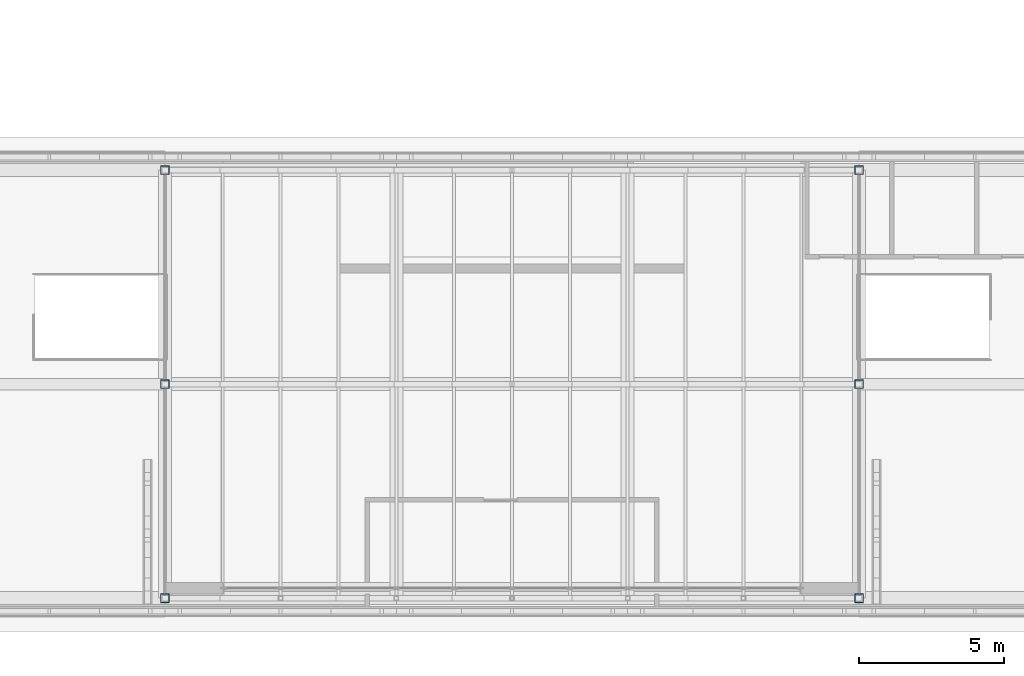
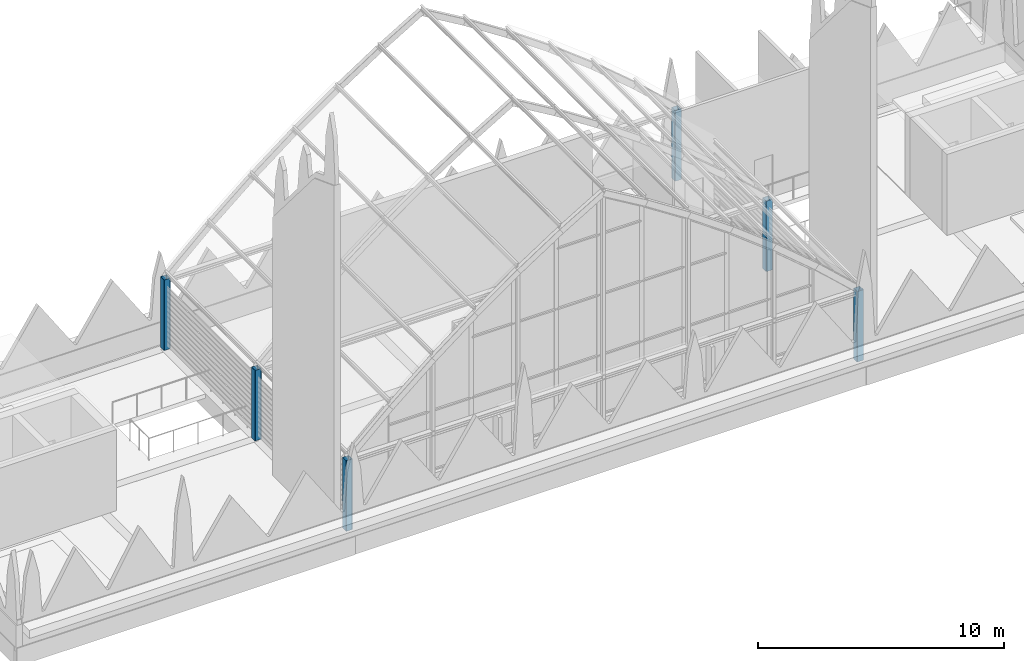
# One storey, part 1 of 18: 6 columns.
"""IFC4 building model written with IfcOpenShell, lengths in metres."""

from ifc_helpers import new_model, si_unit, direction, frame, origin, origin_2d, place, context, subcontext, project, spatial, hollow_rectangle, extrude, material, material_profile, profile_set, type_object, element, save


model = new_model("IFC4")

# Units and contexts
model_context = context("Model", 3, precision=1e-05, world=origin(), true_north=direction((0.0, 1.0)))
body_context = subcontext(model_context, "Body", "Model", "MODEL_VIEW")
ifc_project = project(units=[si_unit("LENGTHUNIT", "METRE"), si_unit("AREAUNIT", "SQUARE_METRE"), si_unit("VOLUMEUNIT", "CUBIC_METRE"), si_unit("PLANEANGLEUNIT", "RADIAN"), si_unit("MASSUNIT", "GRAM", prefix="KILO")], contexts=[model_context])

# Site, building, storey
site_placement = place(None, origin())
site = spatial("IfcSite", under=ifc_project, at=site_placement, CompositionType="ELEMENT")
building_placement = place(site_placement, origin())
building = spatial("IfcBuilding", under=site, at=building_placement, Name="Lantern Court Media Centre", CompositionType="ELEMENT")
storey_placement = place(building_placement, frame((0.0, 0.0, 33.60009765625)))
storey = spatial("IfcBuildingStorey", under=building, at=storey_placement, Name="R00", CompositionType="ELEMENT", Elevation=33.60009765625)

# Columns
ifc_material = material(Name="Steel S355J2 (EN 10025-2)", Category="steel")
ifc_material_profile = material_profile(ifc_material, hollow_rectangle(XDim=0.300048828125, YDim=0.300048828125, WallThickness=0.012451171875, InnerFilletRadius=0.012451171875, OuterFilletRadius=0.018798828125, at=origin_2d()), Name="Pavilion post SHS 300x12.5")
ifc_profile_set = profile_set([ifc_material_profile], Name="Steel S355J2 (EN 10025-2)")
column_type = type_object("IfcColumnType", Name="Pavilion post SHS 300x12.5", PredefinedType="COLUMN", material=ifc_profile_set)
for number, where, z_axis, x_axis, name in (
    (1, (40.0, 42.60009765625, 0.0), (0.0, 0.0, 1.0), (1.0, 0.0, 0.0), "Pavilion post frame 1 west"),
    (2, (64.0, 42.60009765625, 0.0), (0.0, 0.0, 1.0), (1.0, 0.0, 0.0), "Pavilion post frame 1 east"),
    (3, (40.0, 50.0, 0.0), (0.0, 0.0, 1.0), (1.0, 0.0, 0.0), "Pavilion post frame 2 west"),
    (4, (64.0, 50.0, 0.0), (0.0, 0.0, 1.0), (1.0, 0.0, 0.0), "Pavilion post frame 2 east"),
    (5, (40.0, 57.39990234375, 0.0), (0.0, 0.0, 1.0), (1.0, 0.0, 0.0), "Pavilion post frame 3 west"),
    (6, (64.0, 57.39990234375, 0.0), (0.0, 0.0, 1.0), (1.0, 0.0, 0.0), "Pavilion post frame 3 east"),
):
    element("IfcColumn", number, at=place(storey_placement, frame(where, z_axis=z_axis, x_axis=x_axis)), inside=storey, type_object=column_type, Name=name, PredefinedType="COLUMN", context=body_context, shape_type="SweptSolid", body=[
        extrude(hollow_rectangle(XDim=0.300048828125, YDim=0.300048828125, WallThickness=0.012451171875, InnerFilletRadius=0.012451171875, OuterFilletRadius=0.018798828125, at=origin_2d()), origin(), (0.0, 0.0, 1.0), 3.5),
    ])

save(model, "model.ifc")
